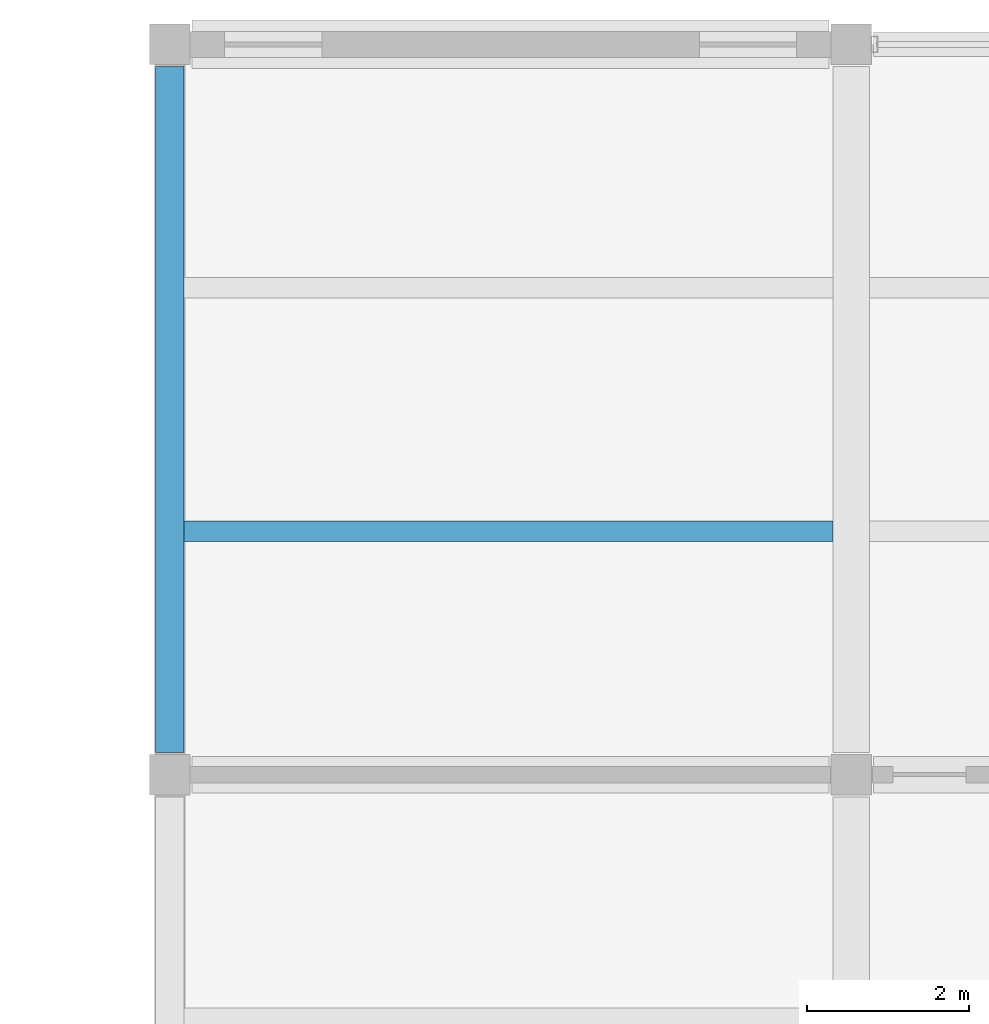
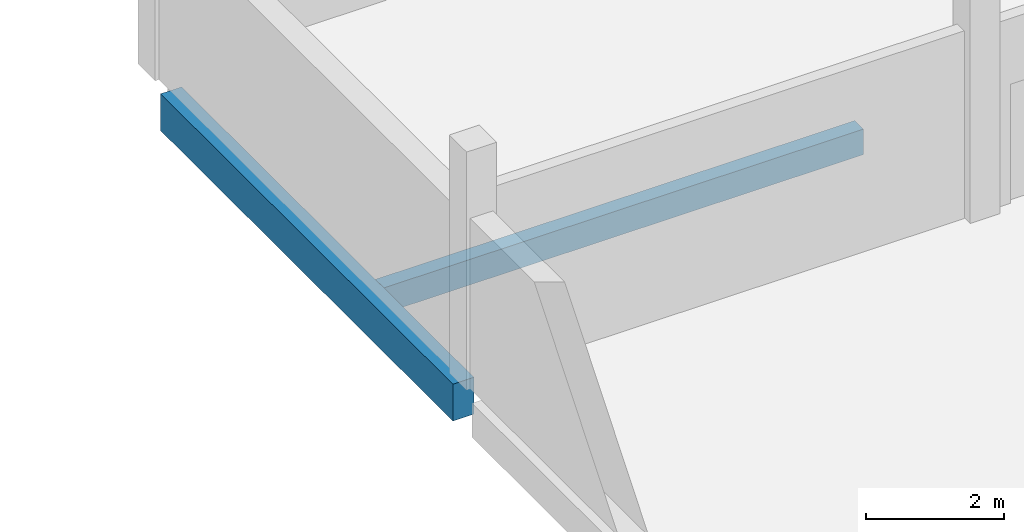
# One storey, part 37 of 107: 2 beams.
"""IFC4 building model written with IfcOpenShell, lengths in metres."""

from ifc_helpers import new_model, si_unit, direction, frame, origin, origin_2d, place, context, subcontext, project, spatial, rectangle, extrude, material, material_profile, profile_set, type_object, element, save


model = new_model("IFC4")

# Units and contexts
model_context = context("Model", 3, precision=1e-05, world=origin(), true_north=direction((0.0, 1.0)))
body_context = subcontext(model_context, "Body", "Model", "MODEL_VIEW")
ifc_project = project(units=[si_unit("LENGTHUNIT", "METRE"), si_unit("AREAUNIT", "SQUARE_METRE"), si_unit("VOLUMEUNIT", "CUBIC_METRE"), si_unit("PLANEANGLEUNIT", "RADIAN"), si_unit("MASSUNIT", "GRAM", prefix="KILO")], contexts=[model_context])

# Site, building, storey
site_placement = place(None, origin())
site = spatial("IfcSite", under=ifc_project, at=site_placement, CompositionType="ELEMENT")
building_placement = place(site_placement, origin())
building = spatial("IfcBuilding", under=site, at=building_placement, Name="Vireocrest Preparatory School", CompositionType="ELEMENT")
storey_placement = place(building_placement, frame((0.0, 0.0, 13.199951171875)))
storey = spatial("IfcBuildingStorey", under=building, at=storey_placement, Name="L03", CompositionType="ELEMENT", Elevation=13.199951171875)

# Beams
ifc_material = material(Name="Concrete 40 MPa", Category="concrete")
ifc_material_profile_1 = material_profile(ifc_material, rectangle(XDim=0.35009765625, YDim=0.64990234375, at=origin_2d()), Name="RC 350x650")
ifc_profile_set_1 = profile_set([ifc_material_profile_1], Name="Concrete 40 MPa")
beam_type_1 = type_object("IfcBeamType", Name="RC Classroom Girder 350x650", PredefinedType="BEAM", material=ifc_profile_set_1)
beam_1_placement = place(storey_placement, frame((42.0, 104.074951171875, -0.56494140625), z_axis=(0.0, 1.0, 0.0), x_axis=(-1.0, 0.0, 0.0)))
element("IfcBeam", 1, at=beam_1_placement, inside=storey, type_object=beam_type_1, Name="Primary Girder B05 L03-1114", PredefinedType="BEAM", context=body_context, shape_type="SweptSolid", body=[
    extrude(rectangle(XDim=0.35009765625, YDim=0.64990234375, at=origin_2d()), origin(), (0.0, 0.0, 1.0), 8.449951171875),
])
ifc_material_profile_2 = material_profile(ifc_material, rectangle(XDim=0.25, YDim=0.449951171875, at=origin_2d()), Name="RC 250x450")
ifc_profile_set_2 = profile_set([ifc_material_profile_2], Name="Concrete 40 MPa")
beam_type_2 = type_object("IfcBeamType", Name="RC Secondary Floor Joist 250x450", PredefinedType="JOIST", material=ifc_profile_set_2)
beam_2_placement = place(storey_placement, frame((42.175048828125, 106.800048828125, -0.46484375), z_axis=(1.0, 0.0, 0.0), x_axis=(0.0, 1.0, 0.0)))
element("IfcBeam", 2, at=beam_2_placement, inside=storey, type_object=beam_type_2, Name="Secondary Joist J01 L03-1197", PredefinedType="JOIST", context=body_context, shape_type="SweptSolid", body=[
    extrude(rectangle(XDim=0.25, YDim=0.449951171875, at=origin_2d()), origin(), (0.0, 0.0, 1.0), 8.0),
])

save(model, "model.ifc")
